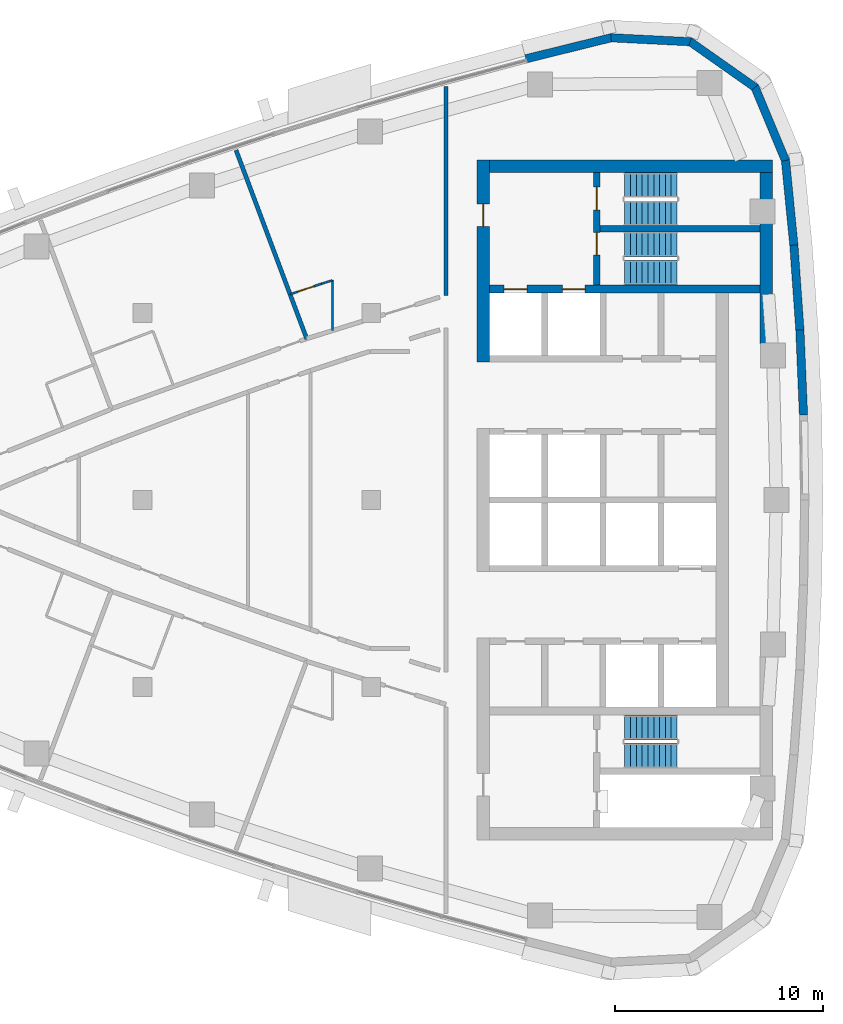
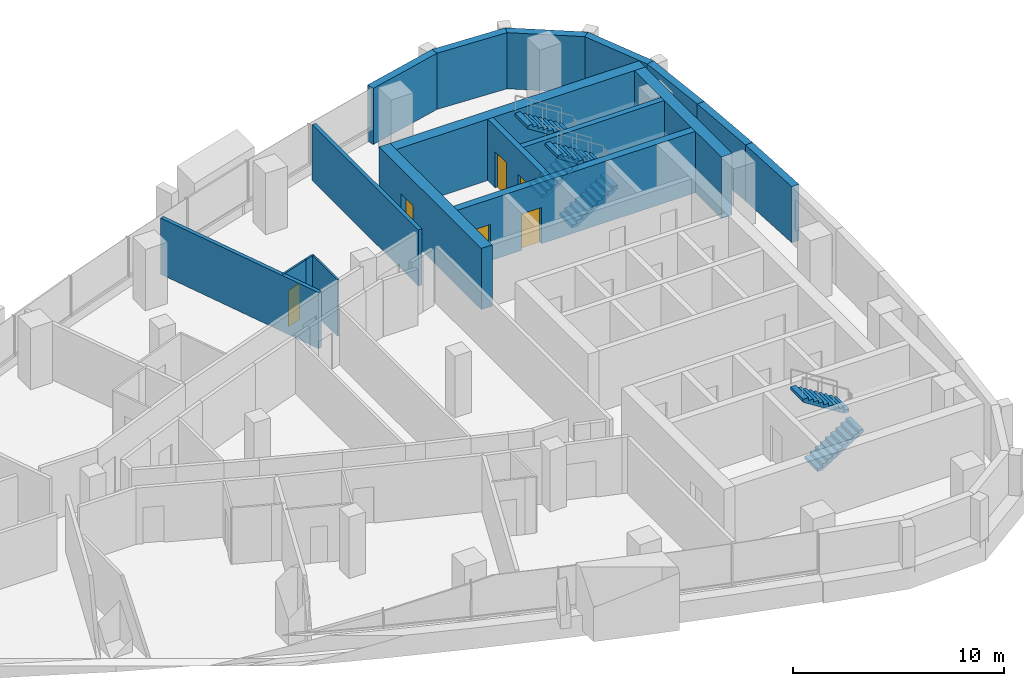
# One storey, part 11 of 15: 18 walls, 6 doors, 6 stair flights, 6 openings, 3 elements without a shape of their own.
"""IFC4 building model written with IfcOpenShell, lengths in metres."""

from ifc_helpers import new_model, si_unit, direction, frame, frame_2d, origin, place, context, subcontext, project, spatial, polyline, rectangle, outline, extrude, material, layer, layer_set, type_object, element, fill, aggregate, save


model = new_model("IFC4")

# Units and contexts
model_context = context("Model", 3, precision=1e-05, world=origin(), true_north=direction((0.0, 1.0)))
body_context = subcontext(model_context, "Body", "Model", "MODEL_VIEW")
ifc_project = project(units=[si_unit("LENGTHUNIT", "METRE"), si_unit("AREAUNIT", "SQUARE_METRE"), si_unit("VOLUMEUNIT", "CUBIC_METRE"), si_unit("PLANEANGLEUNIT", "RADIAN"), si_unit("MASSUNIT", "GRAM", prefix="KILO")], contexts=[model_context])

# Site, building, storey
site_placement = place(None, origin())
site = spatial("IfcSite", under=ifc_project, at=site_placement, CompositionType="ELEMENT")
building_placement = place(site_placement, origin())
building = spatial("IfcBuilding", under=site, at=building_placement, Name="Ostrand Prow Hotel Tower", CompositionType="ELEMENT")
storey_placement = place(building_placement, frame((0.0, 0.0, 235.0)))
storey = spatial("IfcBuildingStorey", under=building, at=storey_placement, Name="L59", CompositionType="ELEMENT", Elevation=235.0)

# Wall, openings, doors
ifc_material_1 = material(Name="Concrete C50/60", Category="concrete")
ifc_layer_1 = layer(ifc_material_1, 0.300048828125)
ifc_layer_set_1 = layer_set([ifc_layer_1], Name="Concrete C50/60")
wall_type_1 = type_object("IfcWallType", Name="Core wall 300 C50/60", PredefinedType="SHEAR", material=ifc_layer_set_1)
wall_1_placement = place(storey_placement, frame((55.85009765625, 10.35009765625, 0.0), z_axis=(0.0, 0.0, 1.0), x_axis=(0.0, 1.0, 0.0)))
wall_1 = element("IfcWall", 1, at=wall_1_placement, inside=storey, type_object=wall_type_1, Name="Core wall PW-VN", PredefinedType="SHEAR", context=body_context, shape_type="SweptSolid", body=[
    extrude(rectangle(XDim=5.39990234375, YDim=0.300048828125, at=frame_2d((2.699951171875, 0.0))), origin(), (0.0, 0.0, 1.0), 3.550048828125),
])
opening_1_placement = place(wall_1_placement, frame((1.429931640625, 0.0, 0.0)))
opening_1 = element("IfcOpeningElement", 2, at=opening_1_placement, cuts=wall_1, Name="Opening FD1", PredefinedType="OPENING", context=body_context, shape_type="SweptSolid", body=[
    extrude(rectangle(XDim=1.10009765625, YDim=2.10009765625, at=frame_2d((0.550048828125, 1.050048828125))), frame((0.0, 0.159912109375, 0.0), z_axis=(0.0, -1.0, 0.0), x_axis=(1.0, 0.0, 0.0)), (0.0, 0.0, 1.0), 0.320068359375),
])
opening_2_placement = place(wall_1_placement, frame((3.60009765625, 0.0, 0.0)))
opening_2 = element("IfcOpeningElement", 3, at=opening_2_placement, cuts=wall_1, Name="Opening FD1", PredefinedType="OPENING", context=body_context, shape_type="SweptSolid", body=[
    extrude(rectangle(XDim=1.10009765625, YDim=2.10009765625, at=frame_2d((0.550048828125, 1.050048828125))), frame((0.0, 0.159912109375, 0.0), z_axis=(0.0, -1.0, 0.0), x_axis=(1.0, 0.0, 0.0)), (0.0, 0.0, 1.0), 0.320068359375),
])
ifc_material_2 = material(Name="Steel fire door", Category="steel")
door_type_1 = type_object("IfcDoorType", Name="Fire door 1100 EI120", OperationType="SINGLE_SWING_RIGHT", PredefinedType="DOOR", material=ifc_material_2)
door_1_placement = place(opening_1_placement, origin())
door_1 = element("IfcDoor", 4, at=door_1_placement, inside=storey, type_object=door_type_1, Name="FIRE DOOR", OperationType="SINGLE_SWING_RIGHT", OverallHeight=2.10009765625, OverallWidth=1.10009765625, PredefinedType="DOOR", context=body_context, shape_type="SweptSolid", body=[
    extrude(rectangle(XDim=1.10009765625, YDim=2.10009765625, at=frame_2d((0.550048828125, 1.050048828125))), frame((0.0, 0.02490234375, 0.0), z_axis=(0.0, -1.0, 0.0), x_axis=(1.0, 0.0, 0.0)), (0.0, 0.0, 1.0), 0.050048828125),
])
fill(opening_1, door_1)
door_2_placement = place(opening_2_placement, origin())
door_2 = element("IfcDoor", 5, at=door_2_placement, inside=storey, type_object=door_type_1, Name="FIRE DOOR", OperationType="SINGLE_SWING_RIGHT", OverallHeight=2.10009765625, OverallWidth=1.10009765625, PredefinedType="DOOR", context=body_context, shape_type="SweptSolid", body=[
    extrude(rectangle(XDim=1.10009765625, YDim=2.10009765625, at=frame_2d((0.550048828125, 1.050048828125))), frame((0.0, 0.02490234375, 0.0), z_axis=(0.0, -1.0, 0.0), x_axis=(1.0, 0.0, 0.0)), (0.0, 0.0, 1.0), 0.050048828125),
])
fill(opening_2, door_2)

# Wall
wall_2_placement = place(storey_placement, frame((56.0, 13.050048828125, 0.0), z_axis=(0.0, 0.0, 1.0), x_axis=(1.0, 0.0, 0.0)))
element("IfcWall", 6, at=wall_2_placement, inside=storey, type_object=wall_type_1, Name="Core wall PW-ST13", PredefinedType="SHEAR", context=body_context, shape_type="SweptSolid", body=[
    extrude(rectangle(XDim=7.719970703125, YDim=0.300048828125, at=frame_2d((3.85986328125, 0.0))), origin(), (0.0, 0.0, 1.0), 3.550048828125),
])

# Wall, openings, doors
ifc_material_3 = material(Name="Concrete C50/60", Category="concrete")
ifc_layer_2 = layer(ifc_material_3, 0.39990234375)
ifc_layer_set_2 = layer_set([ifc_layer_2], Name="Concrete C50/60")
wall_type_2 = type_object("IfcWallType", Name="Core wall 400 C50/60", PredefinedType="SHEAR", material=ifc_layer_set_2)
wall_3_placement = place(storey_placement, frame((50.699951171875, 10.14990234375, 0.0), z_axis=(0.0, 0.0, 1.0), x_axis=(1.0, 0.0, 0.0)))
wall_3 = element("IfcWall", 7, at=wall_3_placement, inside=storey, type_object=wall_type_2, Name="Core wall PW-BN", PredefinedType="SHEAR", context=body_context, shape_type="SweptSolid", body=[
    extrude(rectangle(XDim=13.02001953125, YDim=0.39990234375, at=frame_2d((6.510009765625, 0.0))), origin(), (0.0, 0.0, 1.0), 3.550048828125),
])
opening_3_placement = place(wall_3_placement, frame((0.699951171875, 0.0, 0.0)))
opening_3 = element("IfcOpeningElement", 8, at=opening_3_placement, cuts=wall_3, Name="Opening LD", PredefinedType="OPENING", context=body_context, shape_type="SweptSolid", body=[
    extrude(rectangle(XDim=1.10009765625, YDim=2.10009765625, at=frame_2d((0.550048828125, 1.050048828125))), frame((0.0, 0.2099609375, 0.0), z_axis=(0.0, -1.0, 0.0), x_axis=(1.0, 0.0, 0.0)), (0.0, 0.0, 1.0), 0.419921875),
])
opening_4_placement = place(wall_3_placement, frame((3.5, 0.0, 0.0)))
opening_4 = element("IfcOpeningElement", 9, at=opening_4_placement, cuts=wall_3, Name="Opening LD", PredefinedType="OPENING", context=body_context, shape_type="SweptSolid", body=[
    extrude(rectangle(XDim=1.10009765625, YDim=2.10009765625, at=frame_2d((0.550048828125, 1.050048828125))), frame((0.0, 0.2099609375, 0.0), z_axis=(0.0, -1.0, 0.0), x_axis=(1.0, 0.0, 0.0)), (0.0, 0.0, 1.0), 0.419921875),
])
ifc_material_4 = material(Name="Stainless steel door", Category="steel")
door_type_2 = type_object("IfcDoorType", Name="Lift landing door 1100", OperationType="DOUBLE_DOOR_SLIDING", PredefinedType="DOOR", material=ifc_material_4)
door_3_placement = place(opening_3_placement, origin())
door_3 = element("IfcDoor", 10, at=door_3_placement, inside=storey, type_object=door_type_2, Name="LIFT LANDING DOOR", OperationType="DOUBLE_DOOR_SLIDING", OverallHeight=2.10009765625, OverallWidth=1.10009765625, PredefinedType="DOOR", context=body_context, shape_type="SweptSolid", body=[
    extrude(rectangle(XDim=1.10009765625, YDim=2.10009765625, at=frame_2d((0.550048828125, 1.050048828125))), frame((0.0, 0.02490234375, 0.0), z_axis=(0.0, -1.0, 0.0), x_axis=(1.0, 0.0, 0.0)), (0.0, 0.0, 1.0), 0.050048828125),
])
fill(opening_3, door_3)
door_4_placement = place(opening_4_placement, origin())
door_4 = element("IfcDoor", 11, at=door_4_placement, inside=storey, type_object=door_type_2, Name="LIFT LANDING DOOR", OperationType="DOUBLE_DOOR_SLIDING", OverallHeight=2.10009765625, OverallWidth=1.10009765625, PredefinedType="DOOR", context=body_context, shape_type="SweptSolid", body=[
    extrude(rectangle(XDim=1.10009765625, YDim=2.10009765625, at=frame_2d((0.550048828125, 1.050048828125))), frame((0.0, 0.02490234375, 0.0), z_axis=(0.0, -1.0, 0.0), x_axis=(1.0, 0.0, 0.0)), (0.0, 0.0, 1.0), 0.050048828125),
])
fill(opening_4, door_4)

# Wall, opening, door
ifc_material_5 = material(Name="Concrete C50/60", Category="concrete")
ifc_layer_3 = layer(ifc_material_5, 0.60009765625)
ifc_layer_set_3 = layer_set([ifc_layer_3], Name="Concrete C50/60")
wall_type_3 = type_object("IfcWallType", Name="Core wall 600 C50/60", PredefinedType="SHEAR", material=ifc_layer_set_3)
wall_4_placement = place(storey_placement, frame((50.39990234375, 6.64990234375, 0.0), z_axis=(0.0, 0.0, 1.0), x_axis=(0.0, 1.0, 0.0)))
wall_4 = element("IfcWall", 12, at=wall_4_placement, inside=storey, type_object=wall_type_3, Name="Core wall CW-W-N", PredefinedType="SHEAR", context=body_context, shape_type="SweptSolid", body=[
    extrude(rectangle(XDim=9.7001953125, YDim=0.60009765625, at=frame_2d((4.85009765625, 0.0))), origin(), (0.0, 0.0, 1.0), 3.550048828125),
])
opening_5_placement = place(wall_4_placement, frame((6.5, 0.0, 0.0)))
opening_5 = element("IfcOpeningElement", 13, at=opening_5_placement, cuts=wall_4, Name="Opening FD1", PredefinedType="OPENING", context=body_context, shape_type="SweptSolid", body=[
    extrude(rectangle(XDim=1.10009765625, YDim=2.10009765625, at=frame_2d((0.550048828125, 1.050048828125))), frame((0.0, 0.31005859375, 0.0), z_axis=(0.0, -1.0, 0.0), x_axis=(1.0, 0.0, 0.0)), (0.0, 0.0, 1.0), 0.6201171875),
])
door_5_placement = place(opening_5_placement, origin())
door_5 = element("IfcDoor", 14, at=door_5_placement, inside=storey, type_object=door_type_1, Name="FIRE DOOR", OperationType="SINGLE_SWING_RIGHT", OverallHeight=2.10009765625, OverallWidth=1.10009765625, PredefinedType="DOOR", context=body_context, shape_type="SweptSolid", body=[
    extrude(rectangle(XDim=1.10009765625, YDim=2.10009765625, at=frame_2d((0.550048828125, 1.050048828125))), frame((0.0, 0.02490234375, 0.0), z_axis=(0.0, -1.0, 0.0), x_axis=(1.0, 0.0, 0.0)), (0.0, 0.0, 1.0), 0.050048828125),
])
fill(opening_5, door_5)

# Walls
wall_5_placement = place(storey_placement, frame((50.699951171875, 16.050048828125, 0.0), z_axis=(0.0, 0.0, 1.0), x_axis=(1.0, 0.0, 0.0)))
element("IfcWall", 15, at=wall_5_placement, inside=storey, type_object=wall_type_3, Name="Core wall CW-N", PredefinedType="SHEAR", context=body_context, shape_type="SweptSolid", body=[
    extrude(rectangle(XDim=13.6201171875, YDim=0.60009765625, at=frame_2d((6.81005859375, 0.0))), origin(), (0.0, 0.0, 1.0), 3.550048828125),
])
wall_6_placement = place(storey_placement, frame((64.02001953125, 7.502197265625, 0.0), z_axis=(0.0, 0.0, 1.0), x_axis=(0.0, 1.0, 0.0)))
element("IfcWall", 16, at=wall_6_placement, inside=storey, type_object=wall_type_3, Name="Core wall CW-E-N", PredefinedType="SHEAR", context=body_context, shape_type="SweptSolid", body=[
    extrude(rectangle(XDim=8.247802734375, YDim=0.60009765625, at=frame_2d((4.1240234375, 0.0))), origin(), (0.0, 0.0, 1.0), 3.550048828125),
])

# Wall, opening, door
ifc_material_6 = material(Name="Plasterboard partition")
ifc_layer_4 = layer(ifc_material_6, 0.10009765625)
ifc_layer_set_4 = layer_set([ifc_layer_4], Name="Plasterboard partition")
wall_type_4 = type_object("IfcWallType", Name="Partition 100 bathroom wall", PredefinedType="PARTITIONING", material=ifc_layer_set_4)
wall_7_placement = place(storey_placement, frame((41.097412109375, 9.900634765625, 0.0), z_axis=(0.0, 0.0, 1.0), x_axis=(0.948485479965, 0.3168206027, 0.0)))
wall_7 = element("IfcWall", 17, at=wall_7_placement, inside=storey, type_object=wall_type_4, Name="BATHROOM WALL", PredefinedType="PARTITIONING", context=body_context, shape_type="SweptSolid", body=[
    extrude(rectangle(XDim=1.60595703125, YDim=0.10009765625, at=frame_2d((0.802978515625, 0.0))), origin(), (0.0, 0.0, 1.0), 3.25),
])
opening_6_placement = place(wall_7_placement, frame((0.39990234375, 0.0, 0.0)))
opening_6 = element("IfcOpeningElement", 18, at=opening_6_placement, cuts=wall_7, Name="Opening D2", PredefinedType="OPENING", context=body_context, shape_type="SweptSolid", body=[
    extrude(rectangle(XDim=0.800048828125, YDim=2.10009765625, at=frame_2d((0.39990234375, 1.050048828125))), frame((0.0, 0.06005859375, 0.0), z_axis=(0.0, -1.0, 0.0), x_axis=(1.0, 0.0, 0.0)), (0.0, 0.0, 1.0), 0.1201171875),
])
ifc_material_7 = material(Name="Timber door leaf", Category="wood")
door_type_3 = type_object("IfcDoorType", Name="Bathroom door 800", OperationType="SINGLE_SWING_LEFT", PredefinedType="DOOR", material=ifc_material_7)
door_6_placement = place(opening_6_placement, origin())
door_6 = element("IfcDoor", 19, at=door_6_placement, inside=storey, type_object=door_type_3, Name="DOOR", OperationType="SINGLE_SWING_LEFT", OverallHeight=2.10009765625, OverallWidth=0.800048828125, PredefinedType="DOOR", context=body_context, shape_type="SweptSolid", body=[
    extrude(rectangle(XDim=0.800048828125, YDim=2.10009765625, at=frame_2d((0.39990234375, 1.050048828125))), frame((0.0, 0.02490234375, 0.0), z_axis=(0.0, -1.0, 0.0), x_axis=(1.0, 0.0, 0.0)), (0.0, 0.0, 1.0), 0.050048828125),
])
fill(opening_6, door_6)

# Walls
wall_8_placement = place(storey_placement, frame((42.62060546875, 10.409423828125, 0.0), z_axis=(0.0, 0.0, 1.0), x_axis=(0.954618903587, 0.297830067176, 0.0)))
element("IfcWall", 20, at=wall_8_placement, inside=storey, type_object=wall_type_4, Name="BATHROOM WALL", PredefinedType="PARTITIONING", context=body_context, shape_type="SweptSolid", body=[
    extrude(rectangle(XDim=0.53125, YDim=0.10009765625, at=frame_2d((0.265625, 0.0))), origin(), (0.0, 0.0, 1.0), 3.25),
])
wall_9_placement = place(storey_placement, frame((43.14501953125, 10.59033203125, 0.0), z_axis=(0.0, 0.0, 1.0), x_axis=(0.0, -1.0, 0.0)))
element("IfcWall", 21, at=wall_9_placement, inside=storey, type_object=wall_type_4, Name="BATHROOM WALL", PredefinedType="PARTITIONING", context=body_context, shape_type="SweptSolid", body=[
    extrude(rectangle(XDim=2.42529296875, YDim=0.10009765625, at=frame_2d((1.212646484375, 0.0))), origin(), (0.0, 0.0, 1.0), 3.25),
])
ifc_material_8 = material(Name="Plasterboard partition")
ifc_layer_5 = layer(ifc_material_8, 0.199951171875)
ifc_layer_set_5 = layer_set([ifc_layer_5], Name="Plasterboard partition")
wall_type_5 = type_object("IfcWallType", Name="Partition 200 corridor wall", PredefinedType="PARTITIONING", material=ifc_layer_set_5)
wall_10_placement = place(storey_placement, frame((48.594970703125, 19.904296875, 0.0), z_axis=(0.0, 0.0, 1.0), x_axis=(0.0, -1.0, 0.0)))
element("IfcWall", 22, at=wall_10_placement, inside=storey, type_object=wall_type_5, Name="CORRIDOR WALL", PredefinedType="PARTITIONING", context=body_context, shape_type="SweptSolid", body=[
    extrude(rectangle(XDim=10.0673828125, YDim=0.199951171875, at=frame_2d((5.03369140625, 0.0))), origin(), (0.0, 0.0, 1.0), 3.25),
])
ifc_material_9 = material(Name="Plasterboard partition")
ifc_layer_6 = layer(ifc_material_9, 0.199951171875)
ifc_layer_set_6 = layer_set([ifc_layer_6], Name="Plasterboard partition")
wall_type_6 = type_object("IfcWallType", Name="Partition 200 key partition", PredefinedType="PARTITIONING", material=ifc_layer_set_6)
wall_11_placement = place(storey_placement, frame((41.905517578125, 7.74560546875, 0.0), z_axis=(0.0, 0.0, 1.0), x_axis=(-0.35112895446, 0.936327110224, 0.0)))
element("IfcWall", 23, at=wall_11_placement, inside=storey, type_object=wall_type_6, Name="KEY PARTITION", PredefinedType="PARTITIONING", context=body_context, shape_type="SweptSolid", body=[
    extrude(rectangle(XDim=9.706298828125, YDim=0.199951171875, at=frame_2d((4.85302734375, 0.0))), origin(), (0.0, 0.0, 1.0), 3.25),
])
ifc_material_10 = material(Name="Precast concrete C40/50", Category="concrete")
ifc_layer_7 = layer(ifc_material_10, 0.39990234375)
ifc_layer_set_7 = layer_set([ifc_layer_7], Name="Precast concrete C40/50")
wall_type_7 = type_object("IfcWallType", Name="Stone-faced precast wall 400 mm", PredefinedType="NOTDEFINED", material=ifc_layer_set_7)
wall_12_placement = place(storey_placement, frame((65.803955078125, 4.092529296875, 0.0), z_axis=(0.0, 0.0, 1.0), x_axis=(-0.042352554594, 0.999102728011, 0.0)))
element("IfcWall", 24, at=wall_12_placement, inside=storey, type_object=wall_type_7, Name="Stone-faced wall back 10", PredefinedType="NOTDEFINED", context=body_context, shape_type="SweptSolid", body=[
    extrude(outline(polyline([(-0.002685546875, -0.199951171875), (4.095458984375, -0.199951171875), (4.090087890625, 0.199951171875), (0.002685546875, 0.199951171875), (-0.002685546875, -0.199951171875)])), origin(), (0.0, 0.0, 1.0), 3.25),
])
wall_13_placement = place(storey_placement, frame((65.630615234375, 8.181640625, 0.0), z_axis=(0.0, 0.0, 1.0), x_axis=(-0.070623905352, 0.997503014528, 0.0)))
element("IfcWall", 25, at=wall_13_placement, inside=storey, type_object=wall_type_7, Name="Stone-faced wall back 11", PredefinedType="NOTDEFINED", context=body_context, shape_type="SweptSolid", body=[
    extrude(outline(polyline([(-0.002685546875, -0.199951171875), (4.095703125, -0.199951171875), (4.09033203125, 0.199951171875), (0.002685546875, 0.199951171875), (-0.002685546875, -0.199951171875)])), origin(), (0.0, 0.0, 1.0), 3.25),
])
wall_14_placement = place(storey_placement, frame((65.341552734375, 12.264404296875, 0.0), z_axis=(0.0, 0.0, 1.0), x_axis=(-0.098718218066, 0.995115427185, 0.0)))
element("IfcWall", 26, at=wall_14_placement, inside=storey, type_object=wall_type_7, Name="Stone-faced wall back 12", PredefinedType="NOTDEFINED", context=body_context, shape_type="SweptSolid", body=[
    extrude(outline(polyline([(-0.002685546875, -0.199951171875), (4.122802734375, -0.199951171875), (4.063232421875, 0.199951171875), (0.002685546875, 0.199951171875), (-0.002685546875, -0.199951171875)])), origin(), (0.0, 0.0, 1.0), 3.25),
])
wall_15_placement = place(storey_placement, frame((64.9375, 16.33740234375, 0.0), z_axis=(0.0, 0.0, 1.0), x_axis=(-0.3844335483, 0.923152667191, 0.0)))
element("IfcWall", 27, at=wall_15_placement, inside=storey, type_object=wall_type_7, Name="Stone-faced wall back 13", PredefinedType="NOTDEFINED", context=body_context, shape_type="SweptSolid", body=[
    extrude(outline(polyline([(-0.02978515625, -0.199951171875), (3.871337890625, -0.199951171875), (3.755615234375, 0.199951171875), (0.02978515625, 0.199951171875), (-0.02978515625, -0.199951171875)])), origin(), (0.0, 0.0, 1.0), 3.25),
])
wall_16_placement = place(storey_placement, frame((63.471435546875, 19.85791015625, 0.0), z_axis=(0.0, 0.0, 1.0), x_axis=(-0.817942545532, 0.575299915009, 0.0)))
element("IfcWall", 28, at=wall_16_placement, inside=storey, type_object=wall_type_7, Name="Stone-faced wall back 14", PredefinedType="NOTDEFINED", context=body_context, shape_type="SweptSolid", body=[
    extrude(outline(polyline([(-0.057861328125, -0.199951171875), (3.871337890625, -0.199951171875), (3.755615234375, 0.199951171875), (0.057861328125, 0.199951171875), (-0.057861328125, -0.199951171875)])), origin(), (0.0, 0.0, 1.0), 3.25),
])
wall_17_placement = place(storey_placement, frame((60.352294921875, 22.0517578125, 0.0), z_axis=(0.0, 0.0, 1.0), x_axis=(-0.998758875872, 0.049806705046, 0.0)))
element("IfcWall", 29, at=wall_17_placement, inside=storey, type_object=wall_type_7, Name="Stone-faced wall back 15", PredefinedType="NOTDEFINED", context=body_context, shape_type="SweptSolid", body=[
    extrude(outline(polyline([(-0.057861328125, -0.199951171875), (3.8427734375, -0.199951171875), (3.7841796875, 0.199951171875), (0.057861328125, 0.199951171875), (-0.057861328125, -0.199951171875)])), origin(), (0.0, 0.0, 1.0), 3.25),
])
wall_18_placement = place(storey_placement, frame((56.54345703125, 22.24169921875, 0.0), z_axis=(0.0, 0.0, 1.0), x_axis=(-0.970902342456, -0.23947576373, 0.0)))
element("IfcWall", 30, at=wall_18_placement, inside=storey, type_object=wall_type_7, Name="Stone-faced wall back 16", PredefinedType="NOTDEFINED", context=body_context, shape_type="SweptSolid", body=[
    extrude(outline(polyline([(-0.029296875, -0.199951171875), (4.225830078125, -0.199951171875), (4.225830078125, 0.199951171875), (0.029296875, 0.199951171875), (-0.029296875, -0.199951171875)])), origin(), (0.0, 0.0, 1.0), 3.25),
])

# Stair, stair flights
ifc_material_11 = material(Name="Concrete C40/50", Category="concrete")
stair_type = type_object("IfcStairType", Name="Exit stair 1200 upper zone", PredefinedType="HALF_TURN_STAIR", material=ifc_material_11)
stair_1_placement = place(storey_placement, origin())
stair_1 = element("IfcStair", 31, at=stair_1_placement, inside=storey, type_object=stair_type, Name="L59 ST1C", PredefinedType="HALF_TURN_STAIR")
ifc_material_12 = material(Name="Concrete C40/50", Category="concrete")
stair_flight_type = type_object("IfcStairFlightType", Name="Stair flight 1200 concrete", PredefinedType="STRAIGHT", material=ifc_material_12)
stair_flight_1_placement = place(storey_placement, frame((57.199951171875, 10.949951171875, 0.0), z_axis=(0.0, 0.0, 1.0), x_axis=(1.0, 0.0, 0.0)))
stair_flight_1 = element("IfcStairFlight", 32, at=stair_flight_1_placement, type_object=stair_flight_type, Name="ST1C flight 1", NumberOfRisers=10, NumberOfTreads=9, PredefinedType="STRAIGHT", RiserHeight=0.1775, TreadLength=0.28, context=body_context, shape_type="SweptSolid", body=[
    extrude(outline(polyline([(0.0, 0.0), (0.0, 0.177490234375), (0.280029296875, 0.177490234375), (0.280029296875, 0.35498046875), (0.56005859375, 0.35498046875), (0.56005859375, 0.532470703125), (0.840087890625, 0.532470703125), (0.840087890625, 0.7099609375), (1.1201171875, 0.7099609375), (1.1201171875, 0.887451171875), (1.39990234375, 0.887451171875), (1.39990234375, 1.06494140625), (1.679931640625, 1.06494140625), (1.679931640625, 1.242431640625), (1.9599609375, 1.242431640625), (1.9599609375, 1.419921875), (2.239990234375, 1.419921875), (2.239990234375, 1.597412109375), (2.52001953125, 1.597412109375), (2.52001953125, 1.77490234375), (2.52001953125, 1.419921875), (0.280029296875, 0.0), (0.0, 0.0)])), frame((0.0, 0.60009765625, 0.0), z_axis=(0.0, -1.0, 0.0), x_axis=(1.0, 0.0, 0.0)), (0.0, 0.0, 1.0), 1.199951171875),
])
stair_flight_2_placement = place(storey_placement, frame((59.719970703125, 12.300048828125, 1.77490234375), z_axis=(0.0, 0.0, 1.0), x_axis=(-1.0, 0.0, 0.0)))
stair_flight_2 = element("IfcStairFlight", 33, at=stair_flight_2_placement, type_object=stair_flight_type, Name="ST1C flight 2", NumberOfRisers=10, NumberOfTreads=9, PredefinedType="STRAIGHT", RiserHeight=0.1775, TreadLength=0.28, context=body_context, shape_type="SweptSolid", body=[
    extrude(outline(polyline([(0.0, 0.0), (0.0, 0.177490234375), (0.280029296875, 0.177490234375), (0.280029296875, 0.35498046875), (0.56005859375, 0.35498046875), (0.56005859375, 0.532470703125), (0.840087890625, 0.532470703125), (0.840087890625, 0.7099609375), (1.1201171875, 0.7099609375), (1.1201171875, 0.887451171875), (1.39990234375, 0.887451171875), (1.39990234375, 1.06494140625), (1.679931640625, 1.06494140625), (1.679931640625, 1.242431640625), (1.9599609375, 1.242431640625), (1.9599609375, 1.419921875), (2.239990234375, 1.419921875), (2.239990234375, 1.597412109375), (2.52001953125, 1.597412109375), (2.52001953125, 1.77490234375), (2.52001953125, 1.419921875), (0.280029296875, 0.0), (0.0, 0.0)])), frame((0.0, 0.60009765625, 0.0), z_axis=(0.0, -1.0, 0.0), x_axis=(1.0, 0.0, 0.0)), (0.0, 0.0, 1.0), 1.199951171875),
])
aggregate(stair_1, [stair_flight_1, stair_flight_2])

stair_2_placement = place(storey_placement, origin())
stair_2 = element("IfcStair", 34, at=stair_2_placement, inside=storey, type_object=stair_type, Name="L59 ST3C", PredefinedType="HALF_TURN_STAIR")
stair_flight_3_placement = place(storey_placement, frame((57.199951171875, 13.800048828125, 0.0), z_axis=(0.0, 0.0, 1.0), x_axis=(1.0, 0.0, 0.0)))
stair_flight_3 = element("IfcStairFlight", 35, at=stair_flight_3_placement, type_object=stair_flight_type, Name="ST3C flight 1", NumberOfRisers=10, NumberOfTreads=9, PredefinedType="STRAIGHT", RiserHeight=0.1775, TreadLength=0.28, context=body_context, shape_type="SweptSolid", body=[
    extrude(outline(polyline([(0.0, 0.0), (0.0, 0.177490234375), (0.280029296875, 0.177490234375), (0.280029296875, 0.35498046875), (0.56005859375, 0.35498046875), (0.56005859375, 0.532470703125), (0.840087890625, 0.532470703125), (0.840087890625, 0.7099609375), (1.1201171875, 0.7099609375), (1.1201171875, 0.887451171875), (1.39990234375, 0.887451171875), (1.39990234375, 1.06494140625), (1.679931640625, 1.06494140625), (1.679931640625, 1.242431640625), (1.9599609375, 1.242431640625), (1.9599609375, 1.419921875), (2.239990234375, 1.419921875), (2.239990234375, 1.597412109375), (2.52001953125, 1.597412109375), (2.52001953125, 1.77490234375), (2.52001953125, 1.419921875), (0.280029296875, 0.0), (0.0, 0.0)])), frame((0.0, 0.60009765625, 0.0), z_axis=(0.0, -1.0, 0.0), x_axis=(1.0, 0.0, 0.0)), (0.0, 0.0, 1.0), 1.199951171875),
])
stair_flight_4_placement = place(storey_placement, frame((59.719970703125, 15.14990234375, 1.77490234375), z_axis=(0.0, 0.0, 1.0), x_axis=(-1.0, 0.0, 0.0)))
stair_flight_4 = element("IfcStairFlight", 36, at=stair_flight_4_placement, type_object=stair_flight_type, Name="ST3C flight 2", NumberOfRisers=10, NumberOfTreads=9, PredefinedType="STRAIGHT", RiserHeight=0.1775, TreadLength=0.28, context=body_context, shape_type="SweptSolid", body=[
    extrude(outline(polyline([(0.0, 0.0), (0.0, 0.177490234375), (0.280029296875, 0.177490234375), (0.280029296875, 0.35498046875), (0.56005859375, 0.35498046875), (0.56005859375, 0.532470703125), (0.840087890625, 0.532470703125), (0.840087890625, 0.7099609375), (1.1201171875, 0.7099609375), (1.1201171875, 0.887451171875), (1.39990234375, 0.887451171875), (1.39990234375, 1.06494140625), (1.679931640625, 1.06494140625), (1.679931640625, 1.242431640625), (1.9599609375, 1.242431640625), (1.9599609375, 1.419921875), (2.239990234375, 1.419921875), (2.239990234375, 1.597412109375), (2.52001953125, 1.597412109375), (2.52001953125, 1.77490234375), (2.52001953125, 1.419921875), (0.280029296875, 0.0), (0.0, 0.0)])), frame((0.0, 0.60009765625, 0.0), z_axis=(0.0, -1.0, 0.0), x_axis=(1.0, 0.0, 0.0)), (0.0, 0.0, 1.0), 1.199951171875),
])
aggregate(stair_2, [stair_flight_3, stair_flight_4])

stair_3_placement = place(storey_placement, origin())
stair_3 = element("IfcStair", 37, at=stair_3_placement, inside=storey, type_object=stair_type, Name="L59 ST2C", PredefinedType="HALF_TURN_STAIR")
stair_flight_5_placement = place(storey_placement, frame((57.199951171875, -12.300048828125, 0.0), z_axis=(0.0, 0.0, 1.0), x_axis=(1.0, 0.0, 0.0)))
stair_flight_5 = element("IfcStairFlight", 38, at=stair_flight_5_placement, type_object=stair_flight_type, Name="ST2C flight 1", NumberOfRisers=10, NumberOfTreads=9, PredefinedType="STRAIGHT", RiserHeight=0.1775, TreadLength=0.28, context=body_context, shape_type="SweptSolid", body=[
    extrude(outline(polyline([(0.0, 0.0), (0.0, 0.177490234375), (0.280029296875, 0.177490234375), (0.280029296875, 0.35498046875), (0.56005859375, 0.35498046875), (0.56005859375, 0.532470703125), (0.840087890625, 0.532470703125), (0.840087890625, 0.7099609375), (1.1201171875, 0.7099609375), (1.1201171875, 0.887451171875), (1.39990234375, 0.887451171875), (1.39990234375, 1.06494140625), (1.679931640625, 1.06494140625), (1.679931640625, 1.242431640625), (1.9599609375, 1.242431640625), (1.9599609375, 1.419921875), (2.239990234375, 1.419921875), (2.239990234375, 1.597412109375), (2.52001953125, 1.597412109375), (2.52001953125, 1.77490234375), (2.52001953125, 1.419921875), (0.280029296875, 0.0), (0.0, 0.0)])), frame((0.0, 0.60009765625, 0.0), z_axis=(0.0, -1.0, 0.0), x_axis=(1.0, 0.0, 0.0)), (0.0, 0.0, 1.0), 1.199951171875),
])
stair_flight_6_placement = place(storey_placement, frame((59.719970703125, -10.949951171875, 1.77490234375), z_axis=(0.0, 0.0, 1.0), x_axis=(-1.0, 0.0, 0.0)))
stair_flight_6 = element("IfcStairFlight", 39, at=stair_flight_6_placement, type_object=stair_flight_type, Name="ST2C flight 2", NumberOfRisers=10, NumberOfTreads=9, PredefinedType="STRAIGHT", RiserHeight=0.1775, TreadLength=0.28, context=body_context, shape_type="SweptSolid", body=[
    extrude(outline(polyline([(0.0, 0.0), (0.0, 0.177490234375), (0.280029296875, 0.177490234375), (0.280029296875, 0.35498046875), (0.56005859375, 0.35498046875), (0.56005859375, 0.532470703125), (0.840087890625, 0.532470703125), (0.840087890625, 0.7099609375), (1.1201171875, 0.7099609375), (1.1201171875, 0.887451171875), (1.39990234375, 0.887451171875), (1.39990234375, 1.06494140625), (1.679931640625, 1.06494140625), (1.679931640625, 1.242431640625), (1.9599609375, 1.242431640625), (1.9599609375, 1.419921875), (2.239990234375, 1.419921875), (2.239990234375, 1.597412109375), (2.52001953125, 1.597412109375), (2.52001953125, 1.77490234375), (2.52001953125, 1.419921875), (0.280029296875, 0.0), (0.0, 0.0)])), frame((0.0, 0.60009765625, 0.0), z_axis=(0.0, -1.0, 0.0), x_axis=(1.0, 0.0, 0.0)), (0.0, 0.0, 1.0), 1.199951171875),
])
aggregate(stair_3, [stair_flight_5, stair_flight_6])

save(model, "model.ifc")
